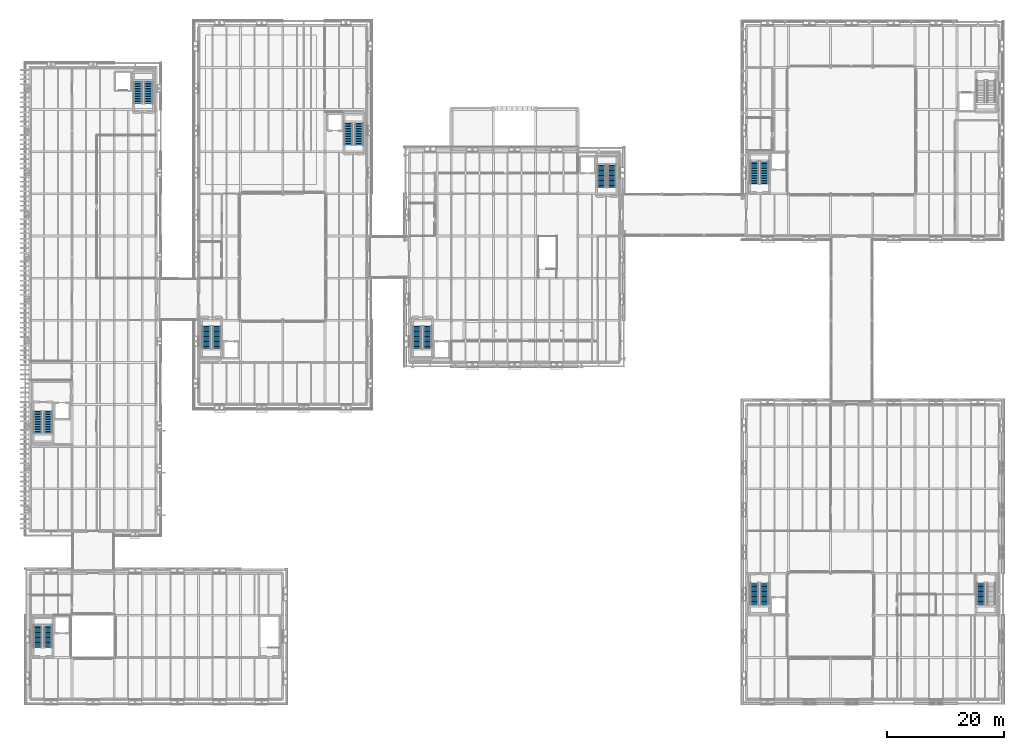
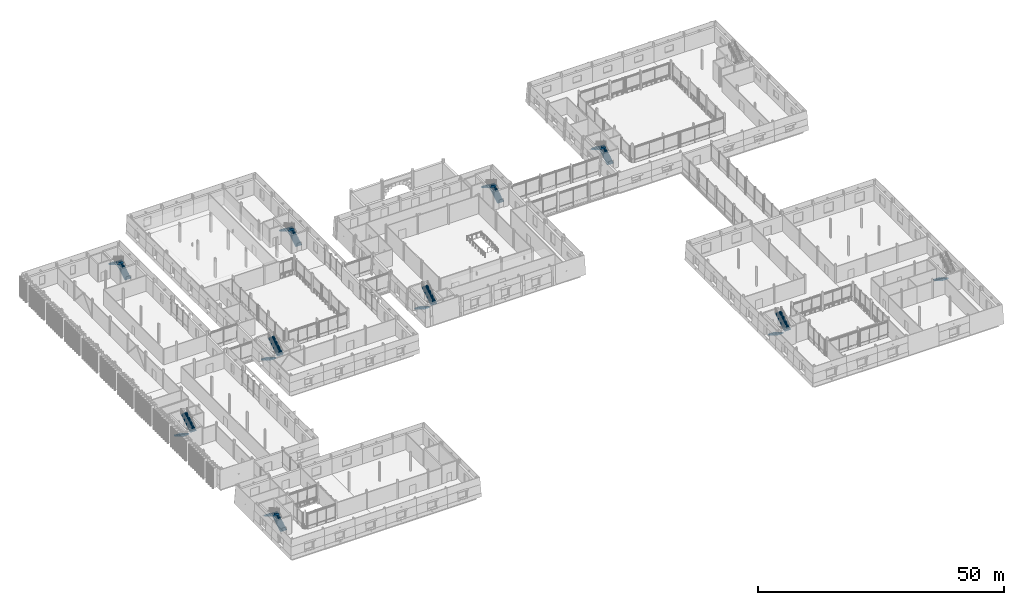
# One storey, part 88 of 121: 19 stair flights, 10 elements without a shape of their own.
"""IFC4 building model written with IfcOpenShell, lengths in metres."""

import ifcopenshell
import ifcopenshell.guid

model = None  # the IFC model being written
_history = None  # IfcOwnerHistory: only IFC2X3 demands one
_inside = {}  # id of a spatial element -> (the spatial element, [elements in it])
_under = {}  # id of a project, library or spatial element -> (it, [spatial elements below it])
_declared = {}  # id of a project -> (the project, [libraries it declares])
_typed = {}  # id of a type object -> (the type object, [elements of that type])
_made_of = {}  # id of a material, layer set ... -> (it, [elements and type objects made of it])


def new_model(schema):
    """Start an empty IFC model of exactly this schema.

    Asked for "IFC4X3", IfcOpenShell would pick the latest addendum, in which some entities
    have other attributes; the version numbers below select the first issue.
    IFC2X3 requires an IfcOwnerHistory on every rooted entity: one is made here for all.
    """
    global model, _history
    if schema == "IFC4X3":
        model = ifcopenshell.file(schema_version=(4, 3, 0, 0))
    else:
        model = ifcopenshell.file(schema=schema)
    _inside.clear()
    _under.clear()
    _declared.clear()
    _typed.clear()
    _made_of.clear()
    _history = None
    if model.schema == "IFC2X3":
        org = make("IfcOrganization", Name="unknown")
        user = make(
            "IfcPersonAndOrganization",
            ThePerson=make("IfcPerson", FamilyName="unknown"),
            TheOrganization=org,
        )
        app = make(
            "IfcApplication",
            ApplicationDeveloper=org,
            Version="unknown",
            ApplicationFullName="unknown",
            ApplicationIdentifier="unknown",
        )
        _history = make(
            "IfcOwnerHistory",
            OwningUser=user,
            OwningApplication=app,
            ChangeAction="ADDED",
            CreationDate=0,
        )
    return model


def make(cls, **values):
    """One entity of the class cls with the attributes given. An attribute that is None is left unset."""
    return model.create_entity(
        cls, **{name: value for name, value in values.items() if value is not None}
    )


def rooted(cls, **values):
    """An entity with a GlobalId (a new one), such as an element, a storey or a relation."""
    return make(cls, GlobalId=ifcopenshell.guid.new(), OwnerHistory=_history, **values)


def si_unit(unit_type, name, prefix=None):
    """IfcSIUnit, for example si_unit("LENGTHUNIT", "METRE", prefix="MILLI")."""
    return make("IfcSIUnit", UnitType=unit_type, Prefix=prefix, Name=name)


def assignment(units):
    """IfcUnitAssignment: the units of a project."""
    return None if units is None else make("IfcUnitAssignment", Units=units)


def point(xyz):
    """IfcCartesianPoint."""
    return None if xyz is None else make("IfcCartesianPoint", Coordinates=xyz)


def direction(xyz):
    """IfcDirection."""
    return None if xyz is None else make("IfcDirection", DirectionRatios=xyz)


def frame(location, z_axis=None, x_axis=None):
    """IfcAxis2Placement3D, a coordinate frame: its origin and axes. An axis left out is left unset."""
    return make(
        "IfcAxis2Placement3D",
        Location=point(location),
        Axis=direction(z_axis),
        RefDirection=direction(x_axis),
    )


def origin():
    """The frame at (0, 0, 0) with its axes left unset."""
    return frame((0.0, 0.0, 0.0))


def place(relative_to, where):
    """IfcLocalPlacement: puts the frame where relative to a parent placement (None: the world)."""
    return make(
        "IfcLocalPlacement", PlacementRelTo=relative_to, RelativePlacement=where
    )


def context(
    kind, dimensions, precision=None, world=None, true_north=None, identifier=None
):
    """IfcGeometricRepresentationContext, for example the 3D "Model" context."""
    return make(
        "IfcGeometricRepresentationContext",
        ContextIdentifier=identifier,
        ContextType=kind,
        CoordinateSpaceDimension=dimensions,
        Precision=precision,
        WorldCoordinateSystem=world,
        TrueNorth=true_north,
    )


def subcontext(parent, identifier, kind, view, scale=None):
    """IfcGeometricRepresentationSubContext, for example "Body" below "Model"."""
    return make(
        "IfcGeometricRepresentationSubContext",
        ContextIdentifier=identifier,
        ContextType=kind,
        ParentContext=parent,
        TargetScale=scale,
        TargetView=view,
    )


def project(units=None, contexts=None):
    """IfcProject with its units and contexts."""
    return rooted(
        "IfcProject",
        Name="project",
        RepresentationContexts=contexts,
        UnitsInContext=assignment(units),
    )


def spatial(cls, under=None, at=None, **own):
    """A site, building, storey or space (cls), placed at a placement, below another one or the project."""
    s = rooted(cls, ObjectPlacement=at, **own)
    if under is not None:
        _under.setdefault(under.id(), (under, []))[1].append(s)
    return s


def polyline(points):
    """IfcPolyline through the points."""
    return make("IfcPolyline", Points=[point(p) for p in points])


def outline(outer, holes=None, kind="AREA"):
    """IfcArbitraryClosedProfileDef: a profile drawn as a closed curve; with holes, ...WithVoids."""
    if holes is None:
        return make("IfcArbitraryClosedProfileDef", ProfileType=kind, OuterCurve=outer)
    return make(
        "IfcArbitraryProfileDefWithVoids",
        ProfileType=kind,
        OuterCurve=outer,
        InnerCurves=holes,
    )


def extrude(swept, where, along, depth):
    """IfcExtrudedAreaSolid: the profile swept, set in the frame where, extruded along a direction by depth."""
    return make(
        "IfcExtrudedAreaSolid",
        SweptArea=swept,
        Position=where,
        ExtrudedDirection=direction(along),
        Depth=depth,
    )


def shape(context_of_items, identifier, shape_type, items):
    """IfcShapeRepresentation: the items that make up one representation, for example the "Body"."""
    return make(
        "IfcShapeRepresentation",
        ContextOfItems=context_of_items,
        RepresentationIdentifier=identifier,
        RepresentationType=shape_type,
        Items=items,
    )


def material(Name=None, Category=None):
    """IfcMaterial."""
    return make("IfcMaterial", Name=Name, Category=Category)


def made_of(thing, what):
    """Note that an element or type object is made of a material, layer set ...; save() writes the relation."""
    if what is not None:
        _made_of.setdefault(what.id(), (what, []))[1].append(thing)
    return thing


def type_object(cls, material=None, **own):
    """A type object (cls), such as IfcWallType, which elements share."""
    return made_of(rooted(cls, **own), material)


def element(
    cls,
    number,
    at=None,
    inside=None,
    cuts=None,
    type_object=None,
    material=None,
    context=None,
    identifier="Body",
    shape_type=None,
    held_by="IfcProductDefinitionShape",
    body=None,
    shapes=None,
    **own,
):
    """One element of the class cls, such as IfcWall. Its Tag is "e" and its number.

    at: its placement. inside: the storey or other place that contains it. cuts: it is an
    opening in that element (IfcRelVoidsElement). A single representation is given by context,
    identifier, shape_type and body (its items); several are given by shapes. held_by: the class
    of the entity that holds the representations. save() writes the other relations.
    """
    e = rooted(cls, Tag="e%d" % number, ObjectPlacement=at, **own)
    if body is not None:
        shapes = [shape(context, identifier, shape_type, body)]
    if shapes is not None:
        e.Representation = make(held_by, Representations=shapes)
    if inside is not None:
        _inside.setdefault(inside.id(), (inside, []))[1].append(e)
    if cuts is not None:
        rooted(
            "IfcRelVoidsElement", RelatingBuildingElement=cuts, RelatedOpeningElement=e
        )
    if type_object is not None:
        _typed.setdefault(type_object.id(), (type_object, []))[1].append(e)
    return made_of(e, material)


def aggregate(whole, parts):
    """IfcRelAggregates: a whole, such as a stair, and the parts it consists of."""
    return rooted("IfcRelAggregates", RelatingObject=whole, RelatedObjects=parts)


def save(model, path):
    """Write the relations noted so far, then the file.

    IfcRelAggregates (storeys below a building ...), IfcRelContainedInSpatialStructure (elements
    in a storey), IfcRelDefinesByType, IfcRelAssociatesMaterial and IfcRelDeclares: one each for
    every whole, place, type object, material and project.
    """
    for whole, parts in _under.values():
        aggregate(whole, parts)
    for where, things in _inside.values():
        rooted(
            "IfcRelContainedInSpatialStructure",
            RelatedElements=things,
            RelatingStructure=where,
        )
    for kind, things in _typed.values():
        rooted("IfcRelDefinesByType", RelatedObjects=things, RelatingType=kind)
    for what, things in _made_of.values():
        rooted("IfcRelAssociatesMaterial", RelatedObjects=things, RelatingMaterial=what)
    for by, libraries in _declared.values():
        rooted("IfcRelDeclares", RelatingContext=by, RelatedDefinitions=libraries)
    model.write(path)


model = new_model("IFC4")

# Units and contexts
model_context = context("Model", 3, precision=1e-05, world=origin(), true_north=direction((0.0, 1.0)))
body_context = subcontext(model_context, "Body", "Model", "MODEL_VIEW")
ifc_project = project(units=[si_unit("LENGTHUNIT", "METRE"), si_unit("AREAUNIT", "SQUARE_METRE"), si_unit("VOLUMEUNIT", "CUBIC_METRE"), si_unit("PLANEANGLEUNIT", "RADIAN"), si_unit("MASSUNIT", "GRAM", prefix="KILO")], contexts=[model_context])

# Site, building, storey
site_placement = place(None, origin())
site = spatial("IfcSite", under=ifc_project, at=site_placement, CompositionType="ELEMENT")
building_placement = place(site_placement, origin())
building = spatial("IfcBuilding", under=site, at=building_placement, Name="Narikvali Park Central Library", CompositionType="ELEMENT")
storey_placement = place(building_placement, frame((0.0, 0.0, 5.39990234375)))
storey = spatial("IfcBuildingStorey", under=building, at=storey_placement, Name="L01", CompositionType="ELEMENT", Elevation=5.39990234375)

# Stair, stair flights
ifc_material_1 = material(Name="Concrete C35/45", Category="concrete")
stair_type = type_object("IfcStairType", Name="Core Enclosed Two-Flight Exit Stair", PredefinedType="HALF_TURN_STAIR", material=ifc_material_1)
stair_1_placement = place(storey_placement, origin())
stair_1 = element("IfcStair", 1, at=stair_1_placement, inside=storey, type_object=stair_type, Name="L01 Exit Stair ST-01", PredefinedType="HALF_TURN_STAIR")
ifc_material_2 = material(Name="Precast concrete C40/50", Category="concrete")
stair_flight_type = type_object("IfcStairFlightType", Name="Precast Concrete Stair Flight 1420", PredefinedType="STRAIGHT", material=ifc_material_2)
stair_flight_1_placement = place(storey_placement, frame((66.159912109375, 63.75, 0.0), z_axis=(0.0, 0.0, 1.0), x_axis=(0.0, -1.0, 0.0)))
stair_flight_1 = element("IfcStairFlight", 2, at=stair_flight_1_placement, type_object=stair_flight_type, Name="ST-01 flight 1", NumberOfRisers=14, NumberOfTreads=13, PredefinedType="STRAIGHT", RiserHeight=0.171428571, TreadLength=0.285, context=body_context, shape_type="SweptSolid", body=[
    extrude(outline(polyline([(-0.0400390625, -0.02490234375), (-0.0400390625, 0.0), (0.0, 0.0), (0.0, 0.17138671875), (0.284912109375, 0.17138671875), (0.284912109375, 0.3427734375), (0.570068359375, 0.3427734375), (0.570068359375, 0.514404296875), (0.85498046875, 0.514404296875), (0.85498046875, 0.685791015625), (1.139892578125, 0.685791015625), (1.139892578125, 0.857177734375), (1.425048828125, 0.857177734375), (1.425048828125, 1.028564453125), (1.7099609375, 1.028564453125), (1.7099609375, 1.199951171875), (1.9951171875, 1.199951171875), (1.9951171875, 1.371337890625), (2.280029296875, 1.371337890625), (2.280029296875, 1.54296875), (2.56494140625, 1.54296875), (2.56494140625, 1.71435546875), (2.85009765625, 1.71435546875), (2.85009765625, 1.8857421875), (3.135009765625, 1.8857421875), (3.135009765625, 2.05712890625), (3.419921875, 2.05712890625), (3.419921875, 2.228515625), (3.705078125, 2.228515625), (3.705078125, 2.39990234375), (3.75, 2.39990234375), (3.75, 2.0185546875), (3.705078125, 2.0185546875), (0.34912109375, -0.02490234375), (-0.0400390625, -0.02490234375)])), frame((0.0, 0.7099609375, 0.0), z_axis=(0.0, -1.0, 0.0), x_axis=(1.0, 0.0, 0.0)), (0.0, 0.0, 1.0), 1.419921875),
])
stair_flight_2_placement = place(storey_placement, frame((67.93994140625, 60.044921875, 2.400146484375), z_axis=(0.0, 0.0, 1.0), x_axis=(0.0, 1.0, 0.0)))
stair_flight_2 = element("IfcStairFlight", 3, at=stair_flight_2_placement, type_object=stair_flight_type, Name="ST-01 flight 2", NumberOfRisers=14, NumberOfTreads=13, PredefinedType="STRAIGHT", RiserHeight=0.171428571, TreadLength=0.285, context=body_context, shape_type="SweptSolid", body=[
    extrude(outline(polyline([(-0.0400390625, -0.02490234375), (-0.0400390625, 0.0), (0.0, 0.0), (0.0, 0.17138671875), (0.284912109375, 0.17138671875), (0.284912109375, 0.3427734375), (0.570068359375, 0.3427734375), (0.570068359375, 0.514404296875), (0.85498046875, 0.514404296875), (0.85498046875, 0.685791015625), (1.139892578125, 0.685791015625), (1.139892578125, 0.857177734375), (1.425048828125, 0.857177734375), (1.425048828125, 1.028564453125), (1.7099609375, 1.028564453125), (1.7099609375, 1.199951171875), (1.9951171875, 1.199951171875), (1.9951171875, 1.371337890625), (2.280029296875, 1.371337890625), (2.280029296875, 1.54296875), (2.56494140625, 1.54296875), (2.56494140625, 1.71435546875), (2.85009765625, 1.71435546875), (2.85009765625, 1.8857421875), (3.135009765625, 1.8857421875), (3.135009765625, 2.05712890625), (3.419921875, 2.05712890625), (3.419921875, 2.228515625), (3.705078125, 2.228515625), (3.705078125, 2.39990234375), (3.75, 2.39990234375), (3.75, 2.0185546875), (3.705078125, 2.0185546875), (0.34912109375, -0.02490234375), (-0.0400390625, -0.02490234375)])), frame((0.0, 0.7099609375, 0.0), z_axis=(0.0, -1.0, 0.0), x_axis=(1.0, 0.0, 0.0)), (0.0, 0.0, 1.0), 1.419921875),
])
aggregate(stair_1, [stair_flight_1, stair_flight_2])

stair_2_placement = place(storey_placement, origin())
stair_2 = element("IfcStair", 4, at=stair_2_placement, inside=storey, type_object=stair_type, Name="L01 Exit Stair ST-02", PredefinedType="HALF_TURN_STAIR")
stair_flight_3_placement = place(storey_placement, frame((99.43994140625, 87.550048828125, 0.0), z_axis=(0.0, 0.0, 1.0), x_axis=(0.0, 1.0, 0.0)))
stair_flight_3 = element("IfcStairFlight", 5, at=stair_flight_3_placement, type_object=stair_flight_type, Name="ST-02 flight 1", NumberOfRisers=14, NumberOfTreads=13, PredefinedType="STRAIGHT", RiserHeight=0.171428571, TreadLength=0.285, context=body_context, shape_type="SweptSolid", body=[
    extrude(outline(polyline([(-0.0400390625, -0.02490234375), (-0.0400390625, 0.0), (0.0, 0.0), (0.0, 0.17138671875), (0.284912109375, 0.17138671875), (0.284912109375, 0.3427734375), (0.570068359375, 0.3427734375), (0.570068359375, 0.514404296875), (0.85498046875, 0.514404296875), (0.85498046875, 0.685791015625), (1.139892578125, 0.685791015625), (1.139892578125, 0.857177734375), (1.425048828125, 0.857177734375), (1.425048828125, 1.028564453125), (1.7099609375, 1.028564453125), (1.7099609375, 1.199951171875), (1.9951171875, 1.199951171875), (1.9951171875, 1.371337890625), (2.280029296875, 1.371337890625), (2.280029296875, 1.54296875), (2.56494140625, 1.54296875), (2.56494140625, 1.71435546875), (2.85009765625, 1.71435546875), (2.85009765625, 1.8857421875), (3.135009765625, 1.8857421875), (3.135009765625, 2.05712890625), (3.419921875, 2.05712890625), (3.419921875, 2.228515625), (3.705078125, 2.228515625), (3.705078125, 2.39990234375), (3.75, 2.39990234375), (3.75, 2.0185546875), (3.705078125, 2.0185546875), (0.34912109375, -0.02490234375), (-0.0400390625, -0.02490234375)])), frame((0.0, 0.7099609375, 0.0), z_axis=(0.0, -1.0, 0.0), x_axis=(1.0, 0.0, 0.0)), (0.0, 0.0, 1.0), 1.419921875),
])
stair_flight_4_placement = place(storey_placement, frame((97.659912109375, 91.2548828125, 2.400146484375), z_axis=(0.0, 0.0, 1.0), x_axis=(0.0, -1.0, 0.0)))
stair_flight_4 = element("IfcStairFlight", 6, at=stair_flight_4_placement, type_object=stair_flight_type, Name="ST-02 flight 2", NumberOfRisers=14, NumberOfTreads=13, PredefinedType="STRAIGHT", RiserHeight=0.171428571, TreadLength=0.285, context=body_context, shape_type="SweptSolid", body=[
    extrude(outline(polyline([(-0.0400390625, -0.02490234375), (-0.0400390625, 0.0), (0.0, 0.0), (0.0, 0.17138671875), (0.284912109375, 0.17138671875), (0.284912109375, 0.3427734375), (0.570068359375, 0.3427734375), (0.570068359375, 0.514404296875), (0.85498046875, 0.514404296875), (0.85498046875, 0.685791015625), (1.139892578125, 0.685791015625), (1.139892578125, 0.857177734375), (1.425048828125, 0.857177734375), (1.425048828125, 1.028564453125), (1.7099609375, 1.028564453125), (1.7099609375, 1.199951171875), (1.9951171875, 1.199951171875), (1.9951171875, 1.371337890625), (2.280029296875, 1.371337890625), (2.280029296875, 1.54296875), (2.56494140625, 1.54296875), (2.56494140625, 1.71435546875), (2.85009765625, 1.71435546875), (2.85009765625, 1.8857421875), (3.135009765625, 1.8857421875), (3.135009765625, 2.05712890625), (3.419921875, 2.05712890625), (3.419921875, 2.228515625), (3.705078125, 2.228515625), (3.705078125, 2.39990234375), (3.75, 2.39990234375), (3.75, 2.0185546875), (3.705078125, 2.0185546875), (0.34912109375, -0.02490234375), (-0.0400390625, -0.02490234375)])), frame((0.0, 0.7099609375, 0.0), z_axis=(0.0, -1.0, 0.0), x_axis=(1.0, 0.0, 0.0)), (0.0, 0.0, 1.0), 1.419921875),
])
aggregate(stair_2, [stair_flight_3, stair_flight_4])

stair_3_placement = place(storey_placement, origin())
stair_3 = element("IfcStair", 7, at=stair_3_placement, inside=storey, type_object=stair_type, Name="L01 Exit Stair ST-03", PredefinedType="HALF_TURN_STAIR")
stair_flight_5_placement = place(storey_placement, frame((3.139892578125, 8.89990234375, 0.0), z_axis=(0.0, 0.0, 1.0), x_axis=(0.0, 1.0, 0.0)))
stair_flight_5 = element("IfcStairFlight", 8, at=stair_flight_5_placement, type_object=stair_flight_type, Name="ST-03 flight 1", NumberOfRisers=14, NumberOfTreads=13, PredefinedType="STRAIGHT", RiserHeight=0.171428571, TreadLength=0.285, context=body_context, shape_type="SweptSolid", body=[
    extrude(outline(polyline([(-0.0400390625, -0.02490234375), (-0.0400390625, 0.0), (0.0, 0.0), (0.0, 0.17138671875), (0.284912109375, 0.17138671875), (0.284912109375, 0.3427734375), (0.570068359375, 0.3427734375), (0.570068359375, 0.514404296875), (0.85498046875, 0.514404296875), (0.85498046875, 0.685791015625), (1.139892578125, 0.685791015625), (1.139892578125, 0.857177734375), (1.425048828125, 0.857177734375), (1.425048828125, 1.028564453125), (1.7099609375, 1.028564453125), (1.7099609375, 1.199951171875), (1.9951171875, 1.199951171875), (1.9951171875, 1.371337890625), (2.280029296875, 1.371337890625), (2.280029296875, 1.54296875), (2.56494140625, 1.54296875), (2.56494140625, 1.71435546875), (2.85009765625, 1.71435546875), (2.85009765625, 1.8857421875), (3.135009765625, 1.8857421875), (3.135009765625, 2.05712890625), (3.419921875, 2.05712890625), (3.419921875, 2.228515625), (3.705078125, 2.228515625), (3.705078125, 2.39990234375), (3.75, 2.39990234375), (3.75, 2.0185546875), (3.705078125, 2.0185546875), (0.34912109375, -0.02490234375), (-0.0400390625, -0.02490234375)])), frame((0.0, 0.7099609375, 0.0), z_axis=(0.0, -1.0, 0.0), x_axis=(1.0, 0.0, 0.0)), (0.0, 0.0, 1.0), 1.419921875),
])
stair_flight_6_placement = place(storey_placement, frame((1.360107421875, 12.60498046875, 2.400146484375), z_axis=(0.0, 0.0, 1.0), x_axis=(0.0, -1.0, 0.0)))
stair_flight_6 = element("IfcStairFlight", 9, at=stair_flight_6_placement, type_object=stair_flight_type, Name="ST-03 flight 2", NumberOfRisers=14, NumberOfTreads=13, PredefinedType="STRAIGHT", RiserHeight=0.171428571, TreadLength=0.285, context=body_context, shape_type="SweptSolid", body=[
    extrude(outline(polyline([(-0.0400390625, -0.02490234375), (-0.0400390625, 0.0), (0.0, 0.0), (0.0, 0.17138671875), (0.284912109375, 0.17138671875), (0.284912109375, 0.3427734375), (0.570068359375, 0.3427734375), (0.570068359375, 0.514404296875), (0.85498046875, 0.514404296875), (0.85498046875, 0.685791015625), (1.139892578125, 0.685791015625), (1.139892578125, 0.857177734375), (1.425048828125, 0.857177734375), (1.425048828125, 1.028564453125), (1.7099609375, 1.028564453125), (1.7099609375, 1.199951171875), (1.9951171875, 1.199951171875), (1.9951171875, 1.371337890625), (2.280029296875, 1.371337890625), (2.280029296875, 1.54296875), (2.56494140625, 1.54296875), (2.56494140625, 1.71435546875), (2.85009765625, 1.71435546875), (2.85009765625, 1.8857421875), (3.135009765625, 1.8857421875), (3.135009765625, 2.05712890625), (3.419921875, 2.05712890625), (3.419921875, 2.228515625), (3.705078125, 2.228515625), (3.705078125, 2.39990234375), (3.75, 2.39990234375), (3.75, 2.0185546875), (3.705078125, 2.0185546875), (0.34912109375, -0.02490234375), (-0.0400390625, -0.02490234375)])), frame((0.0, 0.7099609375, 0.0), z_axis=(0.0, -1.0, 0.0), x_axis=(1.0, 0.0, 0.0)), (0.0, 0.0, 1.0), 1.419921875),
])
aggregate(stair_3, [stair_flight_5, stair_flight_6])

stair_4_placement = place(storey_placement, origin())
stair_4 = element("IfcStair", 10, at=stair_4_placement, inside=storey, type_object=stair_type, Name="L01 Exit Stair ST-05", PredefinedType="HALF_TURN_STAIR")
stair_flight_7_placement = place(storey_placement, frame((125.5400390625, 88.14990234375, 0.0), z_axis=(0.0, 0.0, 1.0), x_axis=(0.0, 1.0, 0.0)))
stair_flight_7 = element("IfcStairFlight", 11, at=stair_flight_7_placement, type_object=stair_flight_type, Name="ST-05 flight 1", NumberOfRisers=14, NumberOfTreads=13, PredefinedType="STRAIGHT", RiserHeight=0.171428571, TreadLength=0.285, context=body_context, shape_type="SweptSolid", body=[
    extrude(outline(polyline([(-0.0400390625, -0.02490234375), (-0.0400390625, 0.0), (0.0, 0.0), (0.0, 0.17138671875), (0.284912109375, 0.17138671875), (0.284912109375, 0.3427734375), (0.570068359375, 0.3427734375), (0.570068359375, 0.514404296875), (0.85498046875, 0.514404296875), (0.85498046875, 0.685791015625), (1.139892578125, 0.685791015625), (1.139892578125, 0.857177734375), (1.425048828125, 0.857177734375), (1.425048828125, 1.028564453125), (1.7099609375, 1.028564453125), (1.7099609375, 1.199951171875), (1.9951171875, 1.199951171875), (1.9951171875, 1.371337890625), (2.280029296875, 1.371337890625), (2.280029296875, 1.54296875), (2.56494140625, 1.54296875), (2.56494140625, 1.71435546875), (2.85009765625, 1.71435546875), (2.85009765625, 1.8857421875), (3.135009765625, 1.8857421875), (3.135009765625, 2.05712890625), (3.419921875, 2.05712890625), (3.419921875, 2.228515625), (3.705078125, 2.228515625), (3.705078125, 2.39990234375), (3.75, 2.39990234375), (3.75, 2.0185546875), (3.705078125, 2.0185546875), (0.34912109375, -0.02490234375), (-0.0400390625, -0.02490234375)])), frame((0.0, 0.7099609375, 0.0), z_axis=(0.0, -1.0, 0.0), x_axis=(1.0, 0.0, 0.0)), (0.0, 0.0, 1.0), 1.419921875),
])
stair_flight_8_placement = place(storey_placement, frame((123.760009765625, 91.85498046875, 2.400146484375), z_axis=(0.0, 0.0, 1.0), x_axis=(0.0, -1.0, 0.0)))
stair_flight_8 = element("IfcStairFlight", 12, at=stair_flight_8_placement, type_object=stair_flight_type, Name="ST-05 flight 2", NumberOfRisers=14, NumberOfTreads=13, PredefinedType="STRAIGHT", RiserHeight=0.171428571, TreadLength=0.285, context=body_context, shape_type="SweptSolid", body=[
    extrude(outline(polyline([(-0.0400390625, -0.02490234375), (-0.0400390625, 0.0), (0.0, 0.0), (0.0, 0.17138671875), (0.284912109375, 0.17138671875), (0.284912109375, 0.3427734375), (0.570068359375, 0.3427734375), (0.570068359375, 0.514404296875), (0.85498046875, 0.514404296875), (0.85498046875, 0.685791015625), (1.139892578125, 0.685791015625), (1.139892578125, 0.857177734375), (1.425048828125, 0.857177734375), (1.425048828125, 1.028564453125), (1.7099609375, 1.028564453125), (1.7099609375, 1.199951171875), (1.9951171875, 1.199951171875), (1.9951171875, 1.371337890625), (2.280029296875, 1.371337890625), (2.280029296875, 1.54296875), (2.56494140625, 1.54296875), (2.56494140625, 1.71435546875), (2.85009765625, 1.71435546875), (2.85009765625, 1.8857421875), (3.135009765625, 1.8857421875), (3.135009765625, 2.05712890625), (3.419921875, 2.05712890625), (3.419921875, 2.228515625), (3.705078125, 2.228515625), (3.705078125, 2.39990234375), (3.75, 2.39990234375), (3.75, 2.0185546875), (3.705078125, 2.0185546875), (0.34912109375, -0.02490234375), (-0.0400390625, -0.02490234375)])), frame((0.0, 0.7099609375, 0.0), z_axis=(0.0, -1.0, 0.0), x_axis=(1.0, 0.0, 0.0)), (0.0, 0.0, 1.0), 1.419921875),
])
aggregate(stair_4, [stair_flight_7, stair_flight_8])

stair_5_placement = place(storey_placement, origin())
stair_5 = element("IfcStair", 13, at=stair_5_placement, inside=storey, type_object=stair_type, Name="L01 Exit Stair ST-07", PredefinedType="HALF_TURN_STAIR")
stair_flight_9_placement = place(storey_placement, frame((30.159912109375, 63.75, 0.0), z_axis=(0.0, 0.0, 1.0), x_axis=(0.0, -1.0, 0.0)))
stair_flight_9 = element("IfcStairFlight", 14, at=stair_flight_9_placement, type_object=stair_flight_type, Name="ST-07 flight 1", NumberOfRisers=14, NumberOfTreads=13, PredefinedType="STRAIGHT", RiserHeight=0.171428571, TreadLength=0.285, context=body_context, shape_type="SweptSolid", body=[
    extrude(outline(polyline([(-0.0400390625, -0.02490234375), (-0.0400390625, 0.0), (0.0, 0.0), (0.0, 0.17138671875), (0.284912109375, 0.17138671875), (0.284912109375, 0.3427734375), (0.570068359375, 0.3427734375), (0.570068359375, 0.514404296875), (0.85498046875, 0.514404296875), (0.85498046875, 0.685791015625), (1.139892578125, 0.685791015625), (1.139892578125, 0.857177734375), (1.425048828125, 0.857177734375), (1.425048828125, 1.028564453125), (1.7099609375, 1.028564453125), (1.7099609375, 1.199951171875), (1.9951171875, 1.199951171875), (1.9951171875, 1.371337890625), (2.280029296875, 1.371337890625), (2.280029296875, 1.54296875), (2.56494140625, 1.54296875), (2.56494140625, 1.71435546875), (2.85009765625, 1.71435546875), (2.85009765625, 1.8857421875), (3.135009765625, 1.8857421875), (3.135009765625, 2.05712890625), (3.419921875, 2.05712890625), (3.419921875, 2.228515625), (3.705078125, 2.228515625), (3.705078125, 2.39990234375), (3.75, 2.39990234375), (3.75, 2.0185546875), (3.705078125, 2.0185546875), (0.34912109375, -0.02490234375), (-0.0400390625, -0.02490234375)])), frame((0.0, 0.7099609375, 0.0), z_axis=(0.0, -1.0, 0.0), x_axis=(1.0, 0.0, 0.0)), (0.0, 0.0, 1.0), 1.419921875),
])
stair_flight_10_placement = place(storey_placement, frame((31.93994140625, 60.044921875, 2.400146484375), z_axis=(0.0, 0.0, 1.0), x_axis=(0.0, 1.0, 0.0)))
stair_flight_10 = element("IfcStairFlight", 15, at=stair_flight_10_placement, type_object=stair_flight_type, Name="ST-07 flight 2", NumberOfRisers=14, NumberOfTreads=13, PredefinedType="STRAIGHT", RiserHeight=0.171428571, TreadLength=0.285, context=body_context, shape_type="SweptSolid", body=[
    extrude(outline(polyline([(-0.0400390625, -0.02490234375), (-0.0400390625, 0.0), (0.0, 0.0), (0.0, 0.17138671875), (0.284912109375, 0.17138671875), (0.284912109375, 0.3427734375), (0.570068359375, 0.3427734375), (0.570068359375, 0.514404296875), (0.85498046875, 0.514404296875), (0.85498046875, 0.685791015625), (1.139892578125, 0.685791015625), (1.139892578125, 0.857177734375), (1.425048828125, 0.857177734375), (1.425048828125, 1.028564453125), (1.7099609375, 1.028564453125), (1.7099609375, 1.199951171875), (1.9951171875, 1.199951171875), (1.9951171875, 1.371337890625), (2.280029296875, 1.371337890625), (2.280029296875, 1.54296875), (2.56494140625, 1.54296875), (2.56494140625, 1.71435546875), (2.85009765625, 1.71435546875), (2.85009765625, 1.8857421875), (3.135009765625, 1.8857421875), (3.135009765625, 2.05712890625), (3.419921875, 2.05712890625), (3.419921875, 2.228515625), (3.705078125, 2.228515625), (3.705078125, 2.39990234375), (3.75, 2.39990234375), (3.75, 2.0185546875), (3.705078125, 2.0185546875), (0.34912109375, -0.02490234375), (-0.0400390625, -0.02490234375)])), frame((0.0, 0.7099609375, 0.0), z_axis=(0.0, -1.0, 0.0), x_axis=(1.0, 0.0, 0.0)), (0.0, 0.0, 1.0), 1.419921875),
])
aggregate(stair_5, [stair_flight_9, stair_flight_10])

stair_6_placement = place(storey_placement, origin())
stair_6 = element("IfcStair", 16, at=stair_6_placement, inside=storey, type_object=stair_type, Name="L01 Exit Stair ST-08", PredefinedType="HALF_TURN_STAIR")
stair_flight_11_placement = place(storey_placement, frame((56.239990234375, 94.75, 0.0), z_axis=(0.0, 0.0, 1.0), x_axis=(0.0, 1.0, 0.0)))
stair_flight_11 = element("IfcStairFlight", 17, at=stair_flight_11_placement, type_object=stair_flight_type, Name="ST-08 flight 1", NumberOfRisers=14, NumberOfTreads=13, PredefinedType="STRAIGHT", RiserHeight=0.171428571, TreadLength=0.285, context=body_context, shape_type="SweptSolid", body=[
    extrude(outline(polyline([(-0.0400390625, -0.02490234375), (-0.0400390625, 0.0), (0.0, 0.0), (0.0, 0.17138671875), (0.284912109375, 0.17138671875), (0.284912109375, 0.3427734375), (0.570068359375, 0.3427734375), (0.570068359375, 0.514404296875), (0.85498046875, 0.514404296875), (0.85498046875, 0.685791015625), (1.139892578125, 0.685791015625), (1.139892578125, 0.857177734375), (1.425048828125, 0.857177734375), (1.425048828125, 1.028564453125), (1.7099609375, 1.028564453125), (1.7099609375, 1.199951171875), (1.9951171875, 1.199951171875), (1.9951171875, 1.371337890625), (2.280029296875, 1.371337890625), (2.280029296875, 1.54296875), (2.56494140625, 1.54296875), (2.56494140625, 1.71435546875), (2.85009765625, 1.71435546875), (2.85009765625, 1.8857421875), (3.135009765625, 1.8857421875), (3.135009765625, 2.05712890625), (3.419921875, 2.05712890625), (3.419921875, 2.228515625), (3.705078125, 2.228515625), (3.705078125, 2.39990234375), (3.75, 2.39990234375), (3.75, 2.0185546875), (3.705078125, 2.0185546875), (0.34912109375, -0.02490234375), (-0.0400390625, -0.02490234375)])), frame((0.0, 0.7099609375, 0.0), z_axis=(0.0, -1.0, 0.0), x_axis=(1.0, 0.0, 0.0)), (0.0, 0.0, 1.0), 1.419921875),
])
stair_flight_12_placement = place(storey_placement, frame((54.4599609375, 98.455078125, 2.400146484375), z_axis=(0.0, 0.0, 1.0), x_axis=(0.0, -1.0, 0.0)))
stair_flight_12 = element("IfcStairFlight", 18, at=stair_flight_12_placement, type_object=stair_flight_type, Name="ST-08 flight 2", NumberOfRisers=14, NumberOfTreads=13, PredefinedType="STRAIGHT", RiserHeight=0.171428571, TreadLength=0.285, context=body_context, shape_type="SweptSolid", body=[
    extrude(outline(polyline([(-0.0400390625, -0.02490234375), (-0.0400390625, 0.0), (0.0, 0.0), (0.0, 0.17138671875), (0.284912109375, 0.17138671875), (0.284912109375, 0.3427734375), (0.570068359375, 0.3427734375), (0.570068359375, 0.514404296875), (0.85498046875, 0.514404296875), (0.85498046875, 0.685791015625), (1.139892578125, 0.685791015625), (1.139892578125, 0.857177734375), (1.425048828125, 0.857177734375), (1.425048828125, 1.028564453125), (1.7099609375, 1.028564453125), (1.7099609375, 1.199951171875), (1.9951171875, 1.199951171875), (1.9951171875, 1.371337890625), (2.280029296875, 1.371337890625), (2.280029296875, 1.54296875), (2.56494140625, 1.54296875), (2.56494140625, 1.71435546875), (2.85009765625, 1.71435546875), (2.85009765625, 1.8857421875), (3.135009765625, 1.8857421875), (3.135009765625, 2.05712890625), (3.419921875, 2.05712890625), (3.419921875, 2.228515625), (3.705078125, 2.228515625), (3.705078125, 2.39990234375), (3.75, 2.39990234375), (3.75, 2.0185546875), (3.705078125, 2.0185546875), (0.34912109375, -0.02490234375), (-0.0400390625, -0.02490234375)])), frame((0.0, 0.7099609375, 0.0), z_axis=(0.0, -1.0, 0.0), x_axis=(1.0, 0.0, 0.0)), (0.0, 0.0, 1.0), 1.419921875),
])
aggregate(stair_6, [stair_flight_11, stair_flight_12])

stair_7_placement = place(storey_placement, origin())
stair_7 = element("IfcStair", 19, at=stair_7_placement, inside=storey, type_object=stair_type, Name="L01 Exit Stair ST-09", PredefinedType="HALF_TURN_STAIR")
stair_flight_13_placement = place(storey_placement, frame((1.360107421875, 49.25, 0.0), z_axis=(0.0, 0.0, 1.0), x_axis=(0.0, -1.0, 0.0)))
stair_flight_13 = element("IfcStairFlight", 20, at=stair_flight_13_placement, type_object=stair_flight_type, Name="ST-09 flight 1", NumberOfRisers=14, NumberOfTreads=13, PredefinedType="STRAIGHT", RiserHeight=0.171428571, TreadLength=0.285, context=body_context, shape_type="SweptSolid", body=[
    extrude(outline(polyline([(-0.0400390625, -0.02490234375), (-0.0400390625, 0.0), (0.0, 0.0), (0.0, 0.17138671875), (0.284912109375, 0.17138671875), (0.284912109375, 0.3427734375), (0.570068359375, 0.3427734375), (0.570068359375, 0.514404296875), (0.85498046875, 0.514404296875), (0.85498046875, 0.685791015625), (1.139892578125, 0.685791015625), (1.139892578125, 0.857177734375), (1.425048828125, 0.857177734375), (1.425048828125, 1.028564453125), (1.7099609375, 1.028564453125), (1.7099609375, 1.199951171875), (1.9951171875, 1.199951171875), (1.9951171875, 1.371337890625), (2.280029296875, 1.371337890625), (2.280029296875, 1.54296875), (2.56494140625, 1.54296875), (2.56494140625, 1.71435546875), (2.85009765625, 1.71435546875), (2.85009765625, 1.8857421875), (3.135009765625, 1.8857421875), (3.135009765625, 2.05712890625), (3.419921875, 2.05712890625), (3.419921875, 2.228515625), (3.705078125, 2.228515625), (3.705078125, 2.39990234375), (3.75, 2.39990234375), (3.75, 2.0185546875), (3.705078125, 2.0185546875), (0.34912109375, -0.02490234375), (-0.0400390625, -0.02490234375)])), frame((0.0, 0.7099609375, 0.0), z_axis=(0.0, -1.0, 0.0), x_axis=(1.0, 0.0, 0.0)), (0.0, 0.0, 1.0), 1.419921875),
])
stair_flight_14_placement = place(storey_placement, frame((3.139892578125, 45.544921875, 2.400146484375), z_axis=(0.0, 0.0, 1.0), x_axis=(0.0, 1.0, 0.0)))
stair_flight_14 = element("IfcStairFlight", 21, at=stair_flight_14_placement, type_object=stair_flight_type, Name="ST-09 flight 2", NumberOfRisers=14, NumberOfTreads=13, PredefinedType="STRAIGHT", RiserHeight=0.171428571, TreadLength=0.285, context=body_context, shape_type="SweptSolid", body=[
    extrude(outline(polyline([(-0.0400390625, -0.02490234375), (-0.0400390625, 0.0), (0.0, 0.0), (0.0, 0.17138671875), (0.284912109375, 0.17138671875), (0.284912109375, 0.3427734375), (0.570068359375, 0.3427734375), (0.570068359375, 0.514404296875), (0.85498046875, 0.514404296875), (0.85498046875, 0.685791015625), (1.139892578125, 0.685791015625), (1.139892578125, 0.857177734375), (1.425048828125, 0.857177734375), (1.425048828125, 1.028564453125), (1.7099609375, 1.028564453125), (1.7099609375, 1.199951171875), (1.9951171875, 1.199951171875), (1.9951171875, 1.371337890625), (2.280029296875, 1.371337890625), (2.280029296875, 1.54296875), (2.56494140625, 1.54296875), (2.56494140625, 1.71435546875), (2.85009765625, 1.71435546875), (2.85009765625, 1.8857421875), (3.135009765625, 1.8857421875), (3.135009765625, 2.05712890625), (3.419921875, 2.05712890625), (3.419921875, 2.228515625), (3.705078125, 2.228515625), (3.705078125, 2.39990234375), (3.75, 2.39990234375), (3.75, 2.0185546875), (3.705078125, 2.0185546875), (0.34912109375, -0.02490234375), (-0.0400390625, -0.02490234375)])), frame((0.0, 0.7099609375, 0.0), z_axis=(0.0, -1.0, 0.0), x_axis=(1.0, 0.0, 0.0)), (0.0, 0.0, 1.0), 1.419921875),
])
aggregate(stair_7, [stair_flight_13, stair_flight_14])

stair_8_placement = place(storey_placement, origin())
stair_8 = element("IfcStair", 22, at=stair_8_placement, inside=storey, type_object=stair_type, Name="L01 Exit Stair ST-10", PredefinedType="HALF_TURN_STAIR")
stair_flight_15_placement = place(storey_placement, frame((20.2900390625, 101.85009765625, 0.0), z_axis=(0.0, 0.0, 1.0), x_axis=(0.0, 1.0, 0.0)))
stair_flight_15 = element("IfcStairFlight", 23, at=stair_flight_15_placement, type_object=stair_flight_type, Name="ST-10 flight 1", NumberOfRisers=14, NumberOfTreads=13, PredefinedType="STRAIGHT", RiserHeight=0.171428571, TreadLength=0.285, context=body_context, shape_type="SweptSolid", body=[
    extrude(outline(polyline([(-0.0400390625, -0.02490234375), (-0.0400390625, 0.0), (0.0, 0.0), (0.0, 0.17138671875), (0.284912109375, 0.17138671875), (0.284912109375, 0.3427734375), (0.570068359375, 0.3427734375), (0.570068359375, 0.514404296875), (0.85498046875, 0.514404296875), (0.85498046875, 0.685791015625), (1.139892578125, 0.685791015625), (1.139892578125, 0.857177734375), (1.425048828125, 0.857177734375), (1.425048828125, 1.028564453125), (1.7099609375, 1.028564453125), (1.7099609375, 1.199951171875), (1.9951171875, 1.199951171875), (1.9951171875, 1.371337890625), (2.280029296875, 1.371337890625), (2.280029296875, 1.54296875), (2.56494140625, 1.54296875), (2.56494140625, 1.71435546875), (2.85009765625, 1.71435546875), (2.85009765625, 1.8857421875), (3.135009765625, 1.8857421875), (3.135009765625, 2.05712890625), (3.419921875, 2.05712890625), (3.419921875, 2.228515625), (3.705078125, 2.228515625), (3.705078125, 2.39990234375), (3.75, 2.39990234375), (3.75, 2.0185546875), (3.705078125, 2.0185546875), (0.34912109375, -0.02490234375), (-0.0400390625, -0.02490234375)])), frame((0.0, 0.7099609375, 0.0), z_axis=(0.0, -1.0, 0.0), x_axis=(1.0, 0.0, 0.0)), (0.0, 0.0, 1.0), 1.419921875),
])
stair_flight_16_placement = place(storey_placement, frame((18.510009765625, 105.554931640625, 2.400146484375), z_axis=(0.0, 0.0, 1.0), x_axis=(0.0, -1.0, 0.0)))
stair_flight_16 = element("IfcStairFlight", 24, at=stair_flight_16_placement, type_object=stair_flight_type, Name="ST-10 flight 2", NumberOfRisers=14, NumberOfTreads=13, PredefinedType="STRAIGHT", RiserHeight=0.171428571, TreadLength=0.285, context=body_context, shape_type="SweptSolid", body=[
    extrude(outline(polyline([(-0.0400390625, -0.02490234375), (-0.0400390625, 0.0), (0.0, 0.0), (0.0, 0.17138671875), (0.284912109375, 0.17138671875), (0.284912109375, 0.3427734375), (0.570068359375, 0.3427734375), (0.570068359375, 0.514404296875), (0.85498046875, 0.514404296875), (0.85498046875, 0.685791015625), (1.139892578125, 0.685791015625), (1.139892578125, 0.857177734375), (1.425048828125, 0.857177734375), (1.425048828125, 1.028564453125), (1.7099609375, 1.028564453125), (1.7099609375, 1.199951171875), (1.9951171875, 1.199951171875), (1.9951171875, 1.371337890625), (2.280029296875, 1.371337890625), (2.280029296875, 1.54296875), (2.56494140625, 1.54296875), (2.56494140625, 1.71435546875), (2.85009765625, 1.71435546875), (2.85009765625, 1.8857421875), (3.135009765625, 1.8857421875), (3.135009765625, 2.05712890625), (3.419921875, 2.05712890625), (3.419921875, 2.228515625), (3.705078125, 2.228515625), (3.705078125, 2.39990234375), (3.75, 2.39990234375), (3.75, 2.0185546875), (3.705078125, 2.0185546875), (0.34912109375, -0.02490234375), (-0.0400390625, -0.02490234375)])), frame((0.0, 0.7099609375, 0.0), z_axis=(0.0, -1.0, 0.0), x_axis=(1.0, 0.0, 0.0)), (0.0, 0.0, 1.0), 1.419921875),
])
aggregate(stair_8, [stair_flight_15, stair_flight_16])

stair_9_placement = place(storey_placement, origin())
stair_9 = element("IfcStair", 25, at=stair_9_placement, inside=storey, type_object=stair_type, Name="L01 Exit Stair ST-11", PredefinedType="HALF_TURN_STAIR")
stair_flight_17_placement = place(storey_placement, frame((123.760009765625, 19.89990234375, 0.0), z_axis=(0.0, 0.0, 1.0), x_axis=(0.0, -1.0, 0.0)))
stair_flight_17 = element("IfcStairFlight", 26, at=stair_flight_17_placement, type_object=stair_flight_type, Name="ST-11 flight 1", NumberOfRisers=14, NumberOfTreads=13, PredefinedType="STRAIGHT", RiserHeight=0.171428571, TreadLength=0.285, context=body_context, shape_type="SweptSolid", body=[
    extrude(outline(polyline([(-0.0400390625, -0.02490234375), (-0.0400390625, 0.0), (0.0, 0.0), (0.0, 0.17138671875), (0.284912109375, 0.17138671875), (0.284912109375, 0.3427734375), (0.570068359375, 0.3427734375), (0.570068359375, 0.514404296875), (0.85498046875, 0.514404296875), (0.85498046875, 0.685791015625), (1.139892578125, 0.685791015625), (1.139892578125, 0.857177734375), (1.425048828125, 0.857177734375), (1.425048828125, 1.028564453125), (1.7099609375, 1.028564453125), (1.7099609375, 1.199951171875), (1.9951171875, 1.199951171875), (1.9951171875, 1.371337890625), (2.280029296875, 1.371337890625), (2.280029296875, 1.54296875), (2.56494140625, 1.54296875), (2.56494140625, 1.71435546875), (2.85009765625, 1.71435546875), (2.85009765625, 1.8857421875), (3.135009765625, 1.8857421875), (3.135009765625, 2.05712890625), (3.419921875, 2.05712890625), (3.419921875, 2.228515625), (3.705078125, 2.228515625), (3.705078125, 2.39990234375), (3.75, 2.39990234375), (3.75, 2.0185546875), (3.705078125, 2.0185546875), (0.34912109375, -0.02490234375), (-0.0400390625, -0.02490234375)])), frame((0.0, 0.7099609375, 0.0), z_axis=(0.0, -1.0, 0.0), x_axis=(1.0, 0.0, 0.0)), (0.0, 0.0, 1.0), 1.419921875),
])
stair_flight_18_placement = place(storey_placement, frame((125.5400390625, 16.195068359375, 2.400146484375), z_axis=(0.0, 0.0, 1.0), x_axis=(0.0, 1.0, 0.0)))
stair_flight_18 = element("IfcStairFlight", 27, at=stair_flight_18_placement, type_object=stair_flight_type, Name="ST-11 flight 2", NumberOfRisers=14, NumberOfTreads=13, PredefinedType="STRAIGHT", RiserHeight=0.171428571, TreadLength=0.285, context=body_context, shape_type="SweptSolid", body=[
    extrude(outline(polyline([(-0.0400390625, -0.02490234375), (-0.0400390625, 0.0), (0.0, 0.0), (0.0, 0.17138671875), (0.284912109375, 0.17138671875), (0.284912109375, 0.3427734375), (0.570068359375, 0.3427734375), (0.570068359375, 0.514404296875), (0.85498046875, 0.514404296875), (0.85498046875, 0.685791015625), (1.139892578125, 0.685791015625), (1.139892578125, 0.857177734375), (1.425048828125, 0.857177734375), (1.425048828125, 1.028564453125), (1.7099609375, 1.028564453125), (1.7099609375, 1.199951171875), (1.9951171875, 1.199951171875), (1.9951171875, 1.371337890625), (2.280029296875, 1.371337890625), (2.280029296875, 1.54296875), (2.56494140625, 1.54296875), (2.56494140625, 1.71435546875), (2.85009765625, 1.71435546875), (2.85009765625, 1.8857421875), (3.135009765625, 1.8857421875), (3.135009765625, 2.05712890625), (3.419921875, 2.05712890625), (3.419921875, 2.228515625), (3.705078125, 2.228515625), (3.705078125, 2.39990234375), (3.75, 2.39990234375), (3.75, 2.0185546875), (3.705078125, 2.0185546875), (0.34912109375, -0.02490234375), (-0.0400390625, -0.02490234375)])), frame((0.0, 0.7099609375, 0.0), z_axis=(0.0, -1.0, 0.0), x_axis=(1.0, 0.0, 0.0)), (0.0, 0.0, 1.0), 1.419921875),
])
aggregate(stair_9, [stair_flight_17, stair_flight_18])

# Stair, stair flight
stair_10_placement = place(storey_placement, origin())
stair_10 = element("IfcStair", 28, at=stair_10_placement, inside=storey, type_object=stair_type, Name="L01 Exit Stair ST-12", PredefinedType="HALF_TURN_STAIR")
stair_flight_19_placement = place(storey_placement, frame((162.4599609375, 19.89990234375, 0.0), z_axis=(0.0, 0.0, 1.0), x_axis=(0.0, -1.0, 0.0)))
stair_flight_19 = element("IfcStairFlight", 29, at=stair_flight_19_placement, type_object=stair_flight_type, Name="ST-12 flight 1", NumberOfRisers=14, NumberOfTreads=13, PredefinedType="STRAIGHT", RiserHeight=0.171428571, TreadLength=0.285, context=body_context, shape_type="SweptSolid", body=[
    extrude(outline(polyline([(-0.0400390625, -0.02490234375), (-0.0400390625, 0.0), (0.0, 0.0), (0.0, 0.17138671875), (0.284912109375, 0.17138671875), (0.284912109375, 0.3427734375), (0.570068359375, 0.3427734375), (0.570068359375, 0.514404296875), (0.85498046875, 0.514404296875), (0.85498046875, 0.685791015625), (1.139892578125, 0.685791015625), (1.139892578125, 0.857177734375), (1.425048828125, 0.857177734375), (1.425048828125, 1.028564453125), (1.7099609375, 1.028564453125), (1.7099609375, 1.199951171875), (1.9951171875, 1.199951171875), (1.9951171875, 1.371337890625), (2.280029296875, 1.371337890625), (2.280029296875, 1.54296875), (2.56494140625, 1.54296875), (2.56494140625, 1.71435546875), (2.85009765625, 1.71435546875), (2.85009765625, 1.8857421875), (3.135009765625, 1.8857421875), (3.135009765625, 2.05712890625), (3.419921875, 2.05712890625), (3.419921875, 2.228515625), (3.705078125, 2.228515625), (3.705078125, 2.39990234375), (3.75, 2.39990234375), (3.75, 2.0185546875), (3.705078125, 2.0185546875), (0.34912109375, -0.02490234375), (-0.0400390625, -0.02490234375)])), frame((0.0, 0.7099609375, 0.0), z_axis=(0.0, -1.0, 0.0), x_axis=(1.0, 0.0, 0.0)), (0.0, 0.0, 1.0), 1.419921875),
])
aggregate(stair_10, [stair_flight_19])

save(model, "model.ifc")
